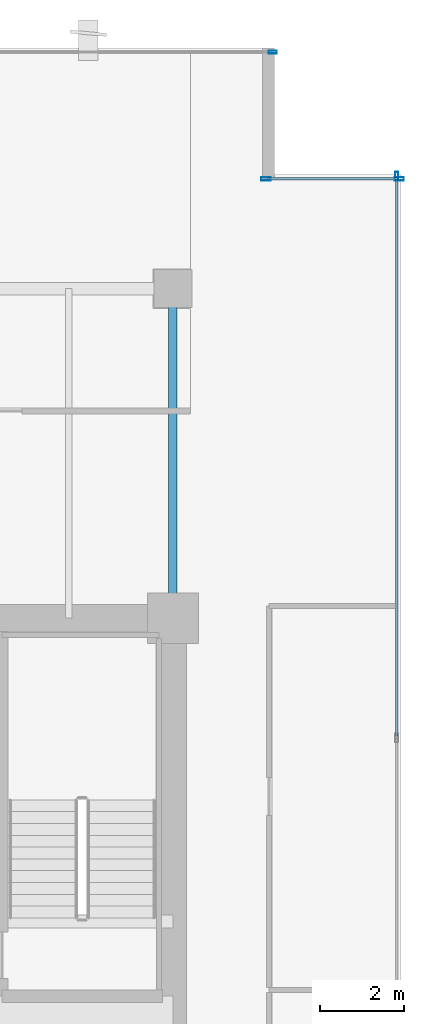
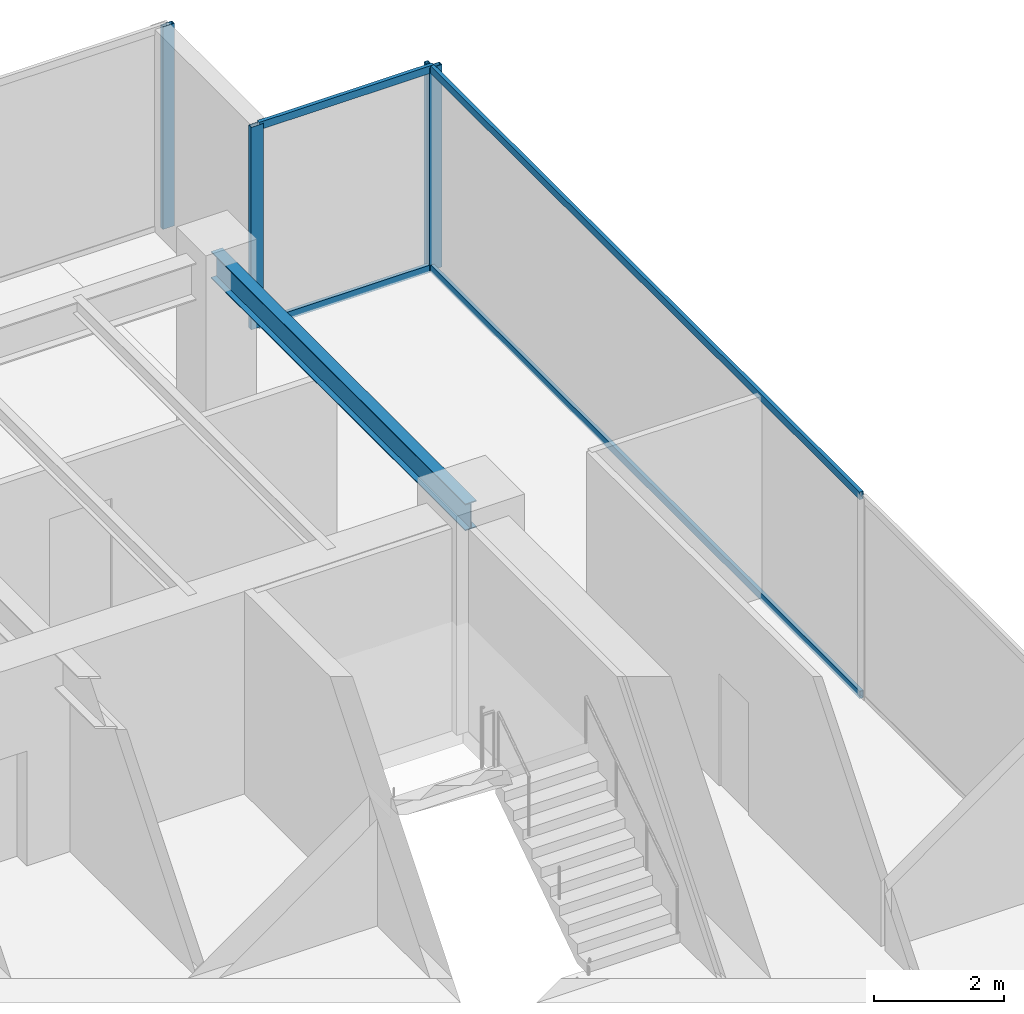
# One storey, part 23 of 34: 8 members, 1 beam, 3 elements without a shape of their own.
"""IFC4 building model written with IfcOpenShell, lengths in metres."""

from ifc_helpers import new_model, si_unit, direction, frame, origin, origin_2d, place, context, subcontext, project, spatial, hollow_rectangle, i_section, extrude, source, transform, mapped, material, layer, layer_set, material_profile, profile_set, type_object, type_shapes, element, aggregate, save


model = new_model("IFC4")

# Units and contexts
model_context = context("Model", 3, precision=1e-05, world=origin(), true_north=direction((0.0, 1.0)))
body_context = subcontext(model_context, "Body", "Model", "MODEL_VIEW")
ifc_project = project(units=[si_unit("LENGTHUNIT", "METRE"), si_unit("AREAUNIT", "SQUARE_METRE"), si_unit("VOLUMEUNIT", "CUBIC_METRE"), si_unit("PLANEANGLEUNIT", "RADIAN"), si_unit("MASSUNIT", "GRAM", prefix="KILO")], contexts=[model_context])

# Site, building, storey
site_placement = place(None, origin())
site = spatial("IfcSite", under=ifc_project, at=site_placement, CompositionType="ELEMENT")
building_placement = place(site_placement, origin())
building = spatial("IfcBuilding", under=site, at=building_placement, Name="Haelvirn Gate Laboratories", CompositionType="ELEMENT")
storey_placement = place(building_placement, frame((0.0, 0.0, 109.199951171875)))
storey = spatial("IfcBuildingStorey", under=building, at=storey_placement, Name="L26", CompositionType="ELEMENT", Elevation=109.199951171875)

# Beam
ifc_material_1 = material(Name="Steel SM355", Category="steel")
ifc_material_profile_1 = material_profile(ifc_material_1, i_section(OverallWidth=0.199951171875, OverallDepth=0.5, WebThickness=0.010009765625, FlangeThickness=0.01611328125, at=origin_2d()), Name="H-500x200x10x16")
ifc_profile_set_1 = profile_set([ifc_material_profile_1], Name="Steel SM355")
beam_type = type_object("IfcBeamType", Name="BM-SP-500", PredefinedType="SPANDREL", material=ifc_profile_set_1)
shared_shape_1 = source(origin(), body_context, "Body", "SweptSolid", [
    extrude(i_section(OverallWidth=0.199951171875, OverallDepth=0.5, WebThickness=0.010009765625, FlangeThickness=0.01611328125, at=origin_2d()), origin(), (0.0, 0.0, 1.0), 7.800048828125),
])
type_shapes(beam_type, [shared_shape_1])
beam_placement = place(storey_placement, frame((67.39990234375, 33.800048828125, 3.5400390625), z_axis=(0.0, 1.0, 0.0), x_axis=(-1.0, 0.0, 0.0)))
element("IfcBeam", 1, at=beam_placement, inside=storey, type_object=beam_type, Name="L26 Perimeter Spandrel X67.4 (33.8-41.6)", PredefinedType="SPANDREL", context=body_context, shape_type="MappedRepresentation", body=[
    mapped(shared_shape_1, transform((0.0, 0.0, 0.0), scale=1.0)),
])

# Curtain wall, members
ifc_material_2 = material(Name="Anodised bronze unitised aluminium & triple low-E glass", Category="aluminium")
ifc_layer_1 = layer(ifc_material_2, 0.181884765625, Name="CW-SYS-5")
ifc_layer_set_1 = layer_set([ifc_layer_1], Name="Anodised bronze unitised aluminium & triple low-E glass")
curtain_wall_type_1 = type_object("IfcCurtainWallType", Name="CW-SYS-5", PredefinedType="NOTDEFINED", material=ifc_layer_set_1)
curtain_wall_1_placement = place(storey_placement, origin())
curtain_wall_1 = element("IfcCurtainWall", 2, at=curtain_wall_1_placement, inside=storey, type_object=curtain_wall_type_1, Name="L26 Unitised Curtain Wall CW-L26-P0-E08-1", PredefinedType="NOTDEFINED")
ifc_material_3 = material(Name="Extruded aluminium 6063-T6 (anodised bronze)", Category="aluminium")
ifc_material_profile_2 = material_profile(ifc_material_3, hollow_rectangle(XDim=0.06494140625, YDim=0.139892578125, WallThickness=0.00390625, at=origin_2d()), Name="CWT-140x65x4")
ifc_profile_set_2 = profile_set([ifc_material_profile_2], Name="Extruded aluminium 6063-T6 (anodised bronze)")
member_type_1 = type_object("IfcMemberType", Name="CWT-T140", PredefinedType="USERDEFINED", material=ifc_profile_set_2)
shared_shape_2 = source(origin(), body_context, "Body", "SweptSolid", [
    extrude(hollow_rectangle(XDim=0.06494140625, YDim=0.139892578125, WallThickness=0.00390625, at=origin_2d()), origin(), (0.0, 0.0, 1.0), 3.080078125),
])
member_1_placement = place(storey_placement, frame((69.639892578125, 44.199951171875, 0.032470703125), z_axis=(1.0, 0.0, 0.0), x_axis=(0.0, 1.0, 0.0)))
member_1 = element("IfcMember", 3, at=member_1_placement, type_object=member_type_1, Name="CW5 transom 1.1", ObjectType="TRANSOM", PredefinedType="USERDEFINED", context=body_context, shape_type="MappedRepresentation", body=[
    mapped(shared_shape_2, transform((0.0, 0.0, 0.0), scale=1.0)),
])
member_2_placement = place(storey_placement, frame((69.639892578125, 44.199951171875, 3.757568359375), z_axis=(1.0, 0.0, 0.0), x_axis=(0.0, 1.0, 0.0)))
member_2 = element("IfcMember", 4, at=member_2_placement, type_object=member_type_1, Name="CW5 transom 1.2", ObjectType="TRANSOM", PredefinedType="USERDEFINED", context=body_context, shape_type="MappedRepresentation", body=[
    mapped(shared_shape_2, transform((0.0, 0.0, 0.0), scale=1.0)),
])

ifc_layer_2 = layer(ifc_material_2, 0.179931640625, Name="CW-SYS-3")
ifc_layer_set_2 = layer_set([ifc_layer_2], Name="Anodised bronze unitised aluminium & triple low-E glass")
curtain_wall_type_2 = type_object("IfcCurtainWallType", Name="CW-SYS-3", PredefinedType="NOTDEFINED", material=ifc_layer_set_2)
curtain_wall_2_placement = place(storey_placement, origin())
curtain_wall_2 = element("IfcCurtainWall", 5, at=curtain_wall_2_placement, inside=storey, type_object=curtain_wall_type_2, Name="L26 Unitised Curtain Wall CW-L26-P0-E07", PredefinedType="NOTDEFINED")
shared_shape_3 = source(origin(), body_context, "Body", "SweptSolid", [
    extrude(hollow_rectangle(XDim=0.06494140625, YDim=0.139892578125, WallThickness=0.00390625, at=origin_2d()), origin(), (0.0, 0.0, 1.0), 13.220947265625),
])
type_shapes(member_type_1, [shared_shape_2, shared_shape_3])
member_3_placement = place(storey_placement, frame((72.699951171875, 31.004150390625, 0.032470703125), z_axis=(0.0, 1.0, 0.0), x_axis=(-1.0, 0.0, 0.0)))
member_3 = element("IfcMember", 6, at=member_3_placement, type_object=member_type_1, Name="CW3 transom 3.1", ObjectType="TRANSOM", PredefinedType="USERDEFINED", context=body_context, shape_type="MappedRepresentation", body=[
    mapped(shared_shape_3, transform((0.0, 0.0, 0.0), scale=1.0)),
])
member_4_placement = place(storey_placement, frame((72.699951171875, 31.004150390625, 3.757568359375), z_axis=(0.0, 1.0, 0.0), x_axis=(-1.0, 0.0, 0.0)))
member_4 = element("IfcMember", 7, at=member_4_placement, type_object=member_type_1, Name="CW3 transom 3.2", ObjectType="TRANSOM", PredefinedType="USERDEFINED", context=body_context, shape_type="MappedRepresentation", body=[
    mapped(shared_shape_3, transform((0.0, 0.0, 0.0), scale=1.0)),
])
ifc_material_profile_3 = material_profile(ifc_material_3, hollow_rectangle(XDim=0.074951171875, YDim=0.199951171875, WallThickness=0.0048828125, at=origin_2d()), Name="CWM-200x75x5")
ifc_profile_set_3 = profile_set([ifc_material_profile_3], Name="Extruded aluminium 6063-T6 (anodised bronze)")
member_type_2 = type_object("IfcMemberType", Name="CWM-T200", PredefinedType="MULLION", material=ifc_profile_set_3)
shared_shape_4 = source(origin(), body_context, "Body", "SweptSolid", [
    extrude(hollow_rectangle(XDim=0.074951171875, YDim=0.199951171875, WallThickness=0.0048828125, at=origin_2d()), origin(), (0.0, 0.0, 1.0), 3.7900390625),
])
type_shapes(member_type_2, [shared_shape_4])
member_5_placement = place(storey_placement, frame((72.699951171875, 44.262451171875, 0.0), z_axis=(0.0, 0.0, 1.0), x_axis=(-1.0, 0.0, 0.0)))
member_5 = element("IfcMember", 8, at=member_5_placement, type_object=member_type_2, Name="CW3 mullion 4", PredefinedType="MULLION", context=body_context, shape_type="MappedRepresentation", body=[
    mapped(shared_shape_4, transform((0.0, 0.0, 0.0), scale=1.0)),
])
aggregate(curtain_wall_2, [member_5, member_3, member_4])

# Curtain wall, member
curtain_wall_3_placement = place(storey_placement, origin())
curtain_wall_3 = element("IfcCurtainWall", 9, at=curtain_wall_3_placement, inside=storey, type_object=curtain_wall_type_2, Name="L26 Unitised Curtain Wall CW-L26-P0-E10-1", PredefinedType="NOTDEFINED")
member_6_placement = place(storey_placement, frame((69.762451171875, 47.199951171875, 0.0), z_axis=(0.0, 0.0, 1.0), x_axis=(0.0, 1.0, 0.0)))
member_6 = element("IfcMember", 10, at=member_6_placement, type_object=member_type_2, Name="CW3 mullion 3", PredefinedType="MULLION", context=body_context, shape_type="MappedRepresentation", body=[
    mapped(shared_shape_4, transform((0.0, 0.0, 0.0), scale=1.0)),
])
aggregate(curtain_wall_3, [member_6])

# Member
ifc_material_profile_4 = material_profile(ifc_material_3, hollow_rectangle(XDim=0.080078125, YDim=0.219970703125, WallThickness=0.006103515625, at=origin_2d()), Name="CWM-220x80x6")
ifc_profile_set_4 = profile_set([ifc_material_profile_4], Name="Extruded aluminium 6063-T6 (anodised bronze)")
member_type_3 = type_object("IfcMemberType", Name="CWM-T220", PredefinedType="MULLION", material=ifc_profile_set_4)
shared_shape_5 = source(origin(), body_context, "Body", "SweptSolid", [
    extrude(hollow_rectangle(XDim=0.080078125, YDim=0.219970703125, WallThickness=0.006103515625, at=origin_2d()), origin(), (0.0, 0.0, 1.0), 3.7900390625),
])
type_shapes(member_type_3, [shared_shape_5])
member_7_placement = place(storey_placement, frame((69.60009765625, 44.199951171875, 0.0), z_axis=(0.0, 0.0, 1.0), x_axis=(0.0, 1.0, 0.0)))
member_7 = element("IfcMember", 11, at=member_7_placement, type_object=member_type_3, Name="CW5 mullion 1", PredefinedType="MULLION", context=body_context, shape_type="MappedRepresentation", body=[
    mapped(shared_shape_5, transform((0.0, 0.0, 0.0), scale=1.0)),
])

member_8_placement = place(storey_placement, frame((72.760009765625, 44.199951171875, 0.0), z_axis=(0.0, 0.0, 1.0), x_axis=(0.0, 1.0, 0.0)))
member_8 = element("IfcMember", 12, at=member_8_placement, type_object=member_type_3, Name="CW5 mullion 2", PredefinedType="MULLION", context=body_context, shape_type="MappedRepresentation", body=[
    mapped(shared_shape_5, transform((0.0, 0.0, 0.0), scale=1.0)),
])

aggregate(curtain_wall_1, [member_7, member_8, member_1, member_2])

save(model, "model.ifc")
